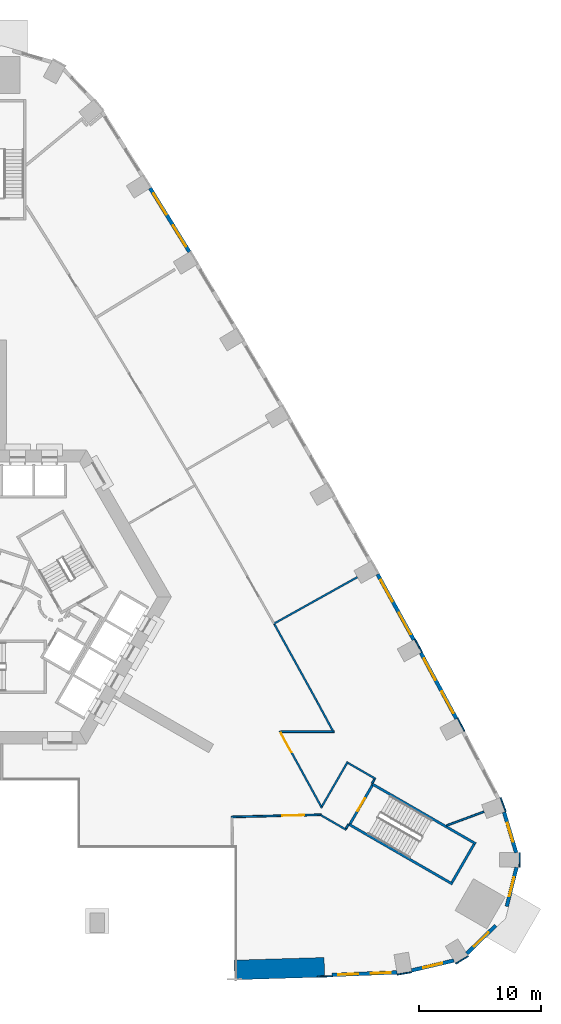
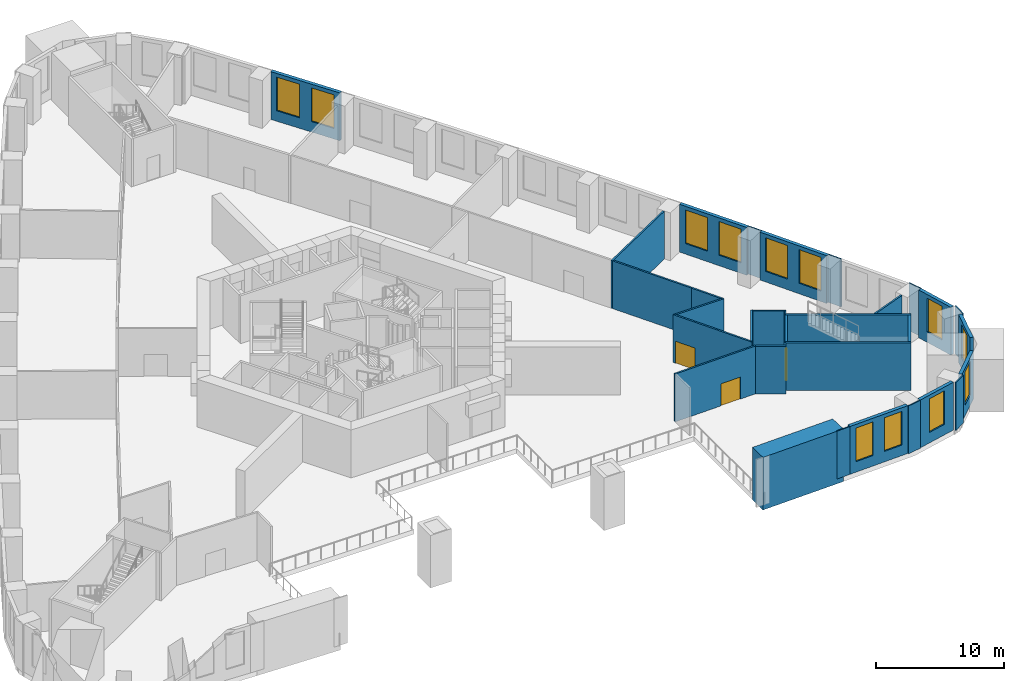
# One storey, part 7 of 16: 32 walls, 12 windows, 3 doors, 15 openings.
"""IFC4 building model written with IfcOpenShell, lengths in metres."""

import ifcopenshell
import ifcopenshell.guid

model = None  # the IFC model being written
_history = None  # IfcOwnerHistory: only IFC2X3 demands one
_inside = {}  # id of a spatial element -> (the spatial element, [elements in it])
_under = {}  # id of a project, library or spatial element -> (it, [spatial elements below it])
_declared = {}  # id of a project -> (the project, [libraries it declares])
_typed = {}  # id of a type object -> (the type object, [elements of that type])
_made_of = {}  # id of a material, layer set ... -> (it, [elements and type objects made of it])


def new_model(schema):
    """Start an empty IFC model of exactly this schema.

    Asked for "IFC4X3", IfcOpenShell would pick the latest addendum, in which some entities
    have other attributes; the version numbers below select the first issue.
    IFC2X3 requires an IfcOwnerHistory on every rooted entity: one is made here for all.
    """
    global model, _history
    if schema == "IFC4X3":
        model = ifcopenshell.file(schema_version=(4, 3, 0, 0))
    else:
        model = ifcopenshell.file(schema=schema)
    _inside.clear()
    _under.clear()
    _declared.clear()
    _typed.clear()
    _made_of.clear()
    _history = None
    if model.schema == "IFC2X3":
        org = make("IfcOrganization", Name="unknown")
        user = make(
            "IfcPersonAndOrganization",
            ThePerson=make("IfcPerson", FamilyName="unknown"),
            TheOrganization=org,
        )
        app = make(
            "IfcApplication",
            ApplicationDeveloper=org,
            Version="unknown",
            ApplicationFullName="unknown",
            ApplicationIdentifier="unknown",
        )
        _history = make(
            "IfcOwnerHistory",
            OwningUser=user,
            OwningApplication=app,
            ChangeAction="ADDED",
            CreationDate=0,
        )
    return model


def make(cls, **values):
    """One entity of the class cls with the attributes given. An attribute that is None is left unset."""
    return model.create_entity(
        cls, **{name: value for name, value in values.items() if value is not None}
    )


def rooted(cls, **values):
    """An entity with a GlobalId (a new one), such as an element, a storey or a relation."""
    return make(cls, GlobalId=ifcopenshell.guid.new(), OwnerHistory=_history, **values)


def si_unit(unit_type, name, prefix=None):
    """IfcSIUnit, for example si_unit("LENGTHUNIT", "METRE", prefix="MILLI")."""
    return make("IfcSIUnit", UnitType=unit_type, Prefix=prefix, Name=name)


def assignment(units):
    """IfcUnitAssignment: the units of a project."""
    return None if units is None else make("IfcUnitAssignment", Units=units)


def point(xyz):
    """IfcCartesianPoint."""
    return None if xyz is None else make("IfcCartesianPoint", Coordinates=xyz)


def direction(xyz):
    """IfcDirection."""
    return None if xyz is None else make("IfcDirection", DirectionRatios=xyz)


def frame(location, z_axis=None, x_axis=None):
    """IfcAxis2Placement3D, a coordinate frame: its origin and axes. An axis left out is left unset."""
    return make(
        "IfcAxis2Placement3D",
        Location=point(location),
        Axis=direction(z_axis),
        RefDirection=direction(x_axis),
    )


def frame_2d(location, x_axis=None):
    """IfcAxis2Placement2D, a coordinate frame in the plane: its origin and x axis."""
    return make(
        "IfcAxis2Placement2D", Location=point(location), RefDirection=direction(x_axis)
    )


def origin():
    """The frame at (0, 0, 0) with its axes left unset."""
    return frame((0.0, 0.0, 0.0))


def place(relative_to, where):
    """IfcLocalPlacement: puts the frame where relative to a parent placement (None: the world)."""
    return make(
        "IfcLocalPlacement", PlacementRelTo=relative_to, RelativePlacement=where
    )


def context(
    kind, dimensions, precision=None, world=None, true_north=None, identifier=None
):
    """IfcGeometricRepresentationContext, for example the 3D "Model" context."""
    return make(
        "IfcGeometricRepresentationContext",
        ContextIdentifier=identifier,
        ContextType=kind,
        CoordinateSpaceDimension=dimensions,
        Precision=precision,
        WorldCoordinateSystem=world,
        TrueNorth=true_north,
    )


def subcontext(parent, identifier, kind, view, scale=None):
    """IfcGeometricRepresentationSubContext, for example "Body" below "Model"."""
    return make(
        "IfcGeometricRepresentationSubContext",
        ContextIdentifier=identifier,
        ContextType=kind,
        ParentContext=parent,
        TargetScale=scale,
        TargetView=view,
    )


def project(units=None, contexts=None):
    """IfcProject with its units and contexts."""
    return rooted(
        "IfcProject",
        Name="project",
        RepresentationContexts=contexts,
        UnitsInContext=assignment(units),
    )


def spatial(cls, under=None, at=None, **own):
    """A site, building, storey or space (cls), placed at a placement, below another one or the project."""
    s = rooted(cls, ObjectPlacement=at, **own)
    if under is not None:
        _under.setdefault(under.id(), (under, []))[1].append(s)
    return s


def polyline(points):
    """IfcPolyline through the points."""
    return make("IfcPolyline", Points=[point(p) for p in points])


def profile(cls, at=None, kind="AREA", **sizes):
    """A parametric profile (cls). Its sizes go by their IFC names, for example OverallWidth=200.0."""
    return make(cls, ProfileType=kind, Position=at, **sizes)


def rectangle(**sizes):
    """IfcRectangleProfileDef."""
    return profile("IfcRectangleProfileDef", **sizes)


def outline(outer, holes=None, kind="AREA"):
    """IfcArbitraryClosedProfileDef: a profile drawn as a closed curve; with holes, ...WithVoids."""
    if holes is None:
        return make("IfcArbitraryClosedProfileDef", ProfileType=kind, OuterCurve=outer)
    return make(
        "IfcArbitraryProfileDefWithVoids",
        ProfileType=kind,
        OuterCurve=outer,
        InnerCurves=holes,
    )


def extrude(swept, where, along, depth):
    """IfcExtrudedAreaSolid: the profile swept, set in the frame where, extruded along a direction by depth."""
    return make(
        "IfcExtrudedAreaSolid",
        SweptArea=swept,
        Position=where,
        ExtrudedDirection=direction(along),
        Depth=depth,
    )


def shape(context_of_items, identifier, shape_type, items):
    """IfcShapeRepresentation: the items that make up one representation, for example the "Body"."""
    return make(
        "IfcShapeRepresentation",
        ContextOfItems=context_of_items,
        RepresentationIdentifier=identifier,
        RepresentationType=shape_type,
        Items=items,
    )


def material(Name=None, Category=None):
    """IfcMaterial."""
    return make("IfcMaterial", Name=Name, Category=Category)


def layer(
    of_material, thickness, ventilated=None, Name=None, Category=None, Priority=None
):
    """IfcMaterialLayer: one layer of a wall or slab, of a material (None: an air gap)."""
    return make(
        "IfcMaterialLayer",
        Material=of_material,
        LayerThickness=thickness,
        IsVentilated=ventilated,
        Name=Name,
        Category=Category,
        Priority=Priority,
    )


def layer_set(layers, Name=None):
    """IfcMaterialLayerSet."""
    return make("IfcMaterialLayerSet", MaterialLayers=layers, LayerSetName=Name)


def made_of(thing, what):
    """Note that an element or type object is made of a material, layer set ...; save() writes the relation."""
    if what is not None:
        _made_of.setdefault(what.id(), (what, []))[1].append(thing)
    return thing


def type_object(cls, material=None, **own):
    """A type object (cls), such as IfcWallType, which elements share."""
    return made_of(rooted(cls, **own), material)


def element(
    cls,
    number,
    at=None,
    inside=None,
    cuts=None,
    type_object=None,
    material=None,
    context=None,
    identifier="Body",
    shape_type=None,
    held_by="IfcProductDefinitionShape",
    body=None,
    shapes=None,
    **own,
):
    """One element of the class cls, such as IfcWall. Its Tag is "e" and its number.

    at: its placement. inside: the storey or other place that contains it. cuts: it is an
    opening in that element (IfcRelVoidsElement). A single representation is given by context,
    identifier, shape_type and body (its items); several are given by shapes. held_by: the class
    of the entity that holds the representations. save() writes the other relations.
    """
    e = rooted(cls, Tag="e%d" % number, ObjectPlacement=at, **own)
    if body is not None:
        shapes = [shape(context, identifier, shape_type, body)]
    if shapes is not None:
        e.Representation = make(held_by, Representations=shapes)
    if inside is not None:
        _inside.setdefault(inside.id(), (inside, []))[1].append(e)
    if cuts is not None:
        rooted(
            "IfcRelVoidsElement", RelatingBuildingElement=cuts, RelatedOpeningElement=e
        )
    if type_object is not None:
        _typed.setdefault(type_object.id(), (type_object, []))[1].append(e)
    return made_of(e, material)


def fill(opening, filler):
    """IfcRelFillsElement: the door or window that sits in an opening."""
    return rooted(
        "IfcRelFillsElement",
        RelatingOpeningElement=opening,
        RelatedBuildingElement=filler,
    )


def aggregate(whole, parts):
    """IfcRelAggregates: a whole, such as a stair, and the parts it consists of."""
    return rooted("IfcRelAggregates", RelatingObject=whole, RelatedObjects=parts)


def save(model, path):
    """Write the relations noted so far, then the file.

    IfcRelAggregates (storeys below a building ...), IfcRelContainedInSpatialStructure (elements
    in a storey), IfcRelDefinesByType, IfcRelAssociatesMaterial and IfcRelDeclares: one each for
    every whole, place, type object, material and project.
    """
    for whole, parts in _under.values():
        aggregate(whole, parts)
    for where, things in _inside.values():
        rooted(
            "IfcRelContainedInSpatialStructure",
            RelatedElements=things,
            RelatingStructure=where,
        )
    for kind, things in _typed.values():
        rooted("IfcRelDefinesByType", RelatedObjects=things, RelatingType=kind)
    for what, things in _made_of.values():
        rooted("IfcRelAssociatesMaterial", RelatedObjects=things, RelatingMaterial=what)
    for by, libraries in _declared.values():
        rooted("IfcRelDeclares", RelatingContext=by, RelatedDefinitions=libraries)
    model.write(path)


model = new_model("IFC4")

# Units and contexts
model_context = context("Model", 3, precision=1e-05, world=origin(), true_north=direction((0.0, 1.0)))
body_context = subcontext(model_context, "Body", "Model", "MODEL_VIEW")
ifc_project = project(units=[si_unit("LENGTHUNIT", "METRE"), si_unit("AREAUNIT", "SQUARE_METRE"), si_unit("VOLUMEUNIT", "CUBIC_METRE"), si_unit("PLANEANGLEUNIT", "RADIAN"), si_unit("MASSUNIT", "GRAM", prefix="KILO")], contexts=[model_context])

# Site, building, storey
site_placement = place(None, origin())
site = spatial("IfcSite", under=ifc_project, at=site_placement, CompositionType="ELEMENT")
building_placement = place(site_placement, origin())
building = spatial("IfcBuilding", under=site, at=building_placement, Name="Entoto Arch Interchange Tower", CompositionType="ELEMENT")
storey_placement = place(building_placement, frame((0.0, 0.0, 15.0)))
storey = spatial("IfcBuildingStorey", under=building, at=storey_placement, Name="L02", CompositionType="ELEMENT", Elevation=15.0)

# Walls
ifc_material_1 = material(Name="Concrete C60/75", Category="concrete")
ifc_layer_1 = layer(ifc_material_1, 1.60009765625)
ifc_layer_set_1 = layer_set([ifc_layer_1], Name="Concrete C60/75")
wall_type_1 = type_object("IfcWallType", Name="Arch leg wall 1600 C60/75", PredefinedType="SHEAR", material=ifc_layer_set_1)
wall_1_placement = place(storey_placement, frame((0.0, 0.0, -0.449951171875)))
element("IfcWall", 1, at=wall_1_placement, inside=storey, type_object=wall_type_1, Name="Arch leg E L02", PredefinedType="SHEAR", context=body_context, shape_type="SweptSolid", body=[
    extrude(outline(polyline([(19.0, -28.761962890625), (26.376953125, -28.5400390625), (26.321044921875, -26.94091796875), (18.97607421875, -27.162109375), (19.0, -28.761962890625)])), origin(), (0.0, 0.0, 1.0), 5.0),
])
ifc_material_2 = material(Name="Gypsum board partition on steel studs", Category="steel")
ifc_layer_2 = layer(ifc_material_2, 0.14990234375)
ifc_layer_set_2 = layer_set([ifc_layer_2], Name="Gypsum board partition on steel studs")
wall_type_2 = type_object("IfcWallType", Name="PARTITION 150", PredefinedType="PARTITIONING", material=ifc_layer_set_2)
wall_2_placement = place(storey_placement, frame((36.333984375, -16.16796875, 0.0), z_axis=(0.0, 0.0, 1.0), x_axis=(0.937400028274, 0.348254485961, 0.0)))
element("IfcWall", 2, at=wall_2_placement, inside=storey, type_object=wall_type_2, Name="wall:L02:p037", PredefinedType="PARTITIONING", context=body_context, shape_type="SweptSolid", body=[
    extrude(rectangle(XDim=3.247314453125, YDim=0.14990234375, at=frame_2d((1.62353515625, 0.0))), origin(), (0.0, 0.0, 1.0), 4.550048828125),
])

# Wall, opening, door
wall_3_placement = place(storey_placement, frame((18.72607421875, -15.465087890625, 0.0), z_axis=(0.0, 0.0, 1.0), x_axis=(0.999696822244, 0.02462242057, 0.0)))
wall_3 = element("IfcWall", 3, at=wall_3_placement, inside=storey, type_object=wall_type_2, Name="wall:L02:p038", PredefinedType="PARTITIONING", context=body_context, shape_type="SweptSolid", body=[
    extrude(rectangle(XDim=7.357177734375, YDim=0.14990234375, at=frame_2d((3.6787109375, 0.0))), origin(), (0.0, 0.0, 1.0), 4.550048828125),
])
opening_1_placement = place(wall_3_placement, frame((4.175048828125, 0.0, 0.0)))
opening_1 = element("IfcOpeningElement", 4, at=opening_1_placement, cuts=wall_3, Name="Opening L02-D04", PredefinedType="OPENING", context=body_context, shape_type="SweptSolid", body=[
    extrude(rectangle(XDim=1.800048828125, YDim=2.10009765625, at=frame_2d((0.89990234375, 1.050048828125))), frame((0.0, 0.0849609375, 0.0), z_axis=(0.0, -1.0, 0.0), x_axis=(1.0, 0.0, 0.0)), (0.0, 0.0, 1.0), 0.169921875),
])
ifc_material_3 = material(Name="Timber door leaf in Steel S235 frame", Category="steel")
door_type_1 = type_object("IfcDoorType", Name="DOOR DD-18 1800x2100", OperationType="DOUBLE_DOOR_SINGLE_SWING", PredefinedType="DOOR", material=ifc_material_3)
door_1_placement = place(opening_1_placement, origin())
door_1 = element("IfcDoor", 5, at=door_1_placement, inside=storey, type_object=door_type_1, Name="door:L02:04", OperationType="DOUBLE_DOOR_SINGLE_SWING", OverallHeight=2.10009765625, OverallWidth=1.800048828125, PredefinedType="DOOR", context=body_context, shape_type="SweptSolid", body=[
    extrude(rectangle(XDim=1.800048828125, YDim=2.10009765625, at=frame_2d((0.89990234375, 1.050048828125))), frame((0.0, 0.02490234375, 0.0), z_axis=(0.0, -1.0, 0.0), x_axis=(1.0, 0.0, 0.0)), (0.0, 0.0, 1.0), 0.050048828125),
])
fill(opening_1, door_1)

# Walls
wall_4_placement = place(storey_placement, frame((26.071044921875, -15.322998046875, 0.0), z_axis=(0.0, 0.0, 1.0), x_axis=(0.866182177769, -0.499728361128, 0.0)))
element("IfcWall", 6, at=wall_4_placement, inside=storey, type_object=wall_type_2, Name="wall:L02:p039", PredefinedType="PARTITIONING", context=body_context, shape_type="SweptSolid", body=[
    extrude(rectangle(XDim=2.385009765625, YDim=0.14990234375, at=frame_2d((1.1923828125, 0.0))), origin(), (0.0, 0.0, 1.0), 4.550048828125),
])
wall_5_placement = place(storey_placement, frame((28.110107421875, -16.4130859375, 0.0), z_axis=(0.0, 0.0, 1.0), x_axis=(0.498310290291, 0.866998762739, 0.0)))
element("IfcWall", 7, at=wall_5_placement, inside=storey, type_object=wall_type_2, Name="wall:L02:p040", PredefinedType="PARTITIONING", context=body_context, shape_type="SweptSolid", body=[
    extrude(rectangle(XDim=0.3994140625, YDim=0.14990234375, at=frame_2d((0.19970703125, 0.0))), origin(), (0.0, 0.0, 1.0), 4.550048828125),
])
wall_6_placement = place(storey_placement, frame((22.173095703125, 0.287109375, 0.0), z_axis=(0.0, 0.0, 1.0), x_axis=(0.873380653813, 0.487038225959, 0.0)))
element("IfcWall", 8, at=wall_6_placement, inside=storey, type_object=wall_type_2, Name="wall:L02:p042", PredefinedType="PARTITIONING", context=body_context, shape_type="SweptSolid", body=[
    extrude(rectangle(XDim=7.85546875, YDim=0.14990234375, at=frame_2d((3.927734375, 0.0))), origin(), (0.0, 0.0, 1.0), 4.550048828125),
])
wall_7_placement = place(storey_placement, frame((30.235107421875, -12.73291015625, 0.0), z_axis=(0.0, 0.0, 1.0), x_axis=(0.499352927503, 0.866398669086, 0.0)))
element("IfcWall", 9, at=wall_7_placement, inside=storey, type_object=wall_type_2, Name="wall:L02:p043", PredefinedType="PARTITIONING", context=body_context, shape_type="SweptSolid", body=[
    extrude(rectangle(XDim=0.400390625, YDim=0.14990234375, at=frame_2d((0.2001953125, 0.0))), origin(), (0.0, 0.0, 1.0), 4.550048828125),
])
wall_8_placement = place(storey_placement, frame((30.537109375, -12.35791015625, 0.0), z_axis=(0.0, 0.0, 1.0), x_axis=(-0.866108986466, 0.499855202596, 0.0)))
element("IfcWall", 10, at=wall_8_placement, inside=storey, type_object=wall_type_2, Name="wall:L02:p044", PredefinedType="PARTITIONING", context=body_context, shape_type="SweptSolid", body=[
    extrude(rectangle(XDim=2.600341796875, YDim=0.14990234375, at=frame_2d((1.30029296875, 0.0))), origin(), (0.0, 0.0, 1.0), 4.550048828125),
])
wall_9_placement = place(storey_placement, frame((28.257080078125, -10.9560546875, 0.0), z_axis=(0.0, 0.0, 1.0), x_axis=(-0.500010096862, -0.86601957428, 0.0)))
element("IfcWall", 11, at=wall_9_placement, inside=storey, type_object=wall_type_2, Name="wall:L02:p045", PredefinedType="PARTITIONING", context=body_context, shape_type="SweptSolid", body=[
    extrude(rectangle(XDim=4.21240234375, YDim=0.14990234375, at=frame_2d((2.106201171875, 0.0))), origin(), (0.0, 0.0, 1.0), 4.550048828125),
])

# Wall, opening, door
wall_10_placement = place(storey_placement, frame((26.14990234375, -14.735107421875, 0.0), z_axis=(0.0, 0.0, 1.0), x_axis=(-0.480144660377, 0.877189321134, 0.0)))
wall_10 = element("IfcWall", 12, at=wall_10_placement, inside=storey, type_object=wall_type_2, Name="wall:L02:p046", PredefinedType="PARTITIONING", context=body_context, shape_type="SweptSolid", body=[
    extrude(rectangle(XDim=7.18310546875, YDim=0.14990234375, at=frame_2d((3.591552734375, 0.0))), origin(), (0.0, 0.0, 1.0), 4.550048828125),
])
opening_2_placement = place(wall_10_placement, frame((5.18310546875, 0.0, 0.0)))
opening_2 = element("IfcOpeningElement", 13, at=opening_2_placement, cuts=wall_10, Name="Opening L02-D05", PredefinedType="OPENING", context=body_context, shape_type="SweptSolid", body=[
    extrude(rectangle(XDim=1.800048828125, YDim=2.10009765625, at=frame_2d((0.89990234375, 1.050048828125))), frame((0.0, 0.0849609375, 0.0), z_axis=(0.0, -1.0, 0.0), x_axis=(1.0, 0.0, 0.0)), (0.0, 0.0, 1.0), 0.169921875),
])
door_2_placement = place(opening_2_placement, origin())
door_2 = element("IfcDoor", 14, at=door_2_placement, inside=storey, type_object=door_type_1, Name="door:L02:05", OperationType="DOUBLE_DOOR_SINGLE_SWING", OverallHeight=2.10009765625, OverallWidth=1.800048828125, PredefinedType="DOOR", context=body_context, shape_type="SweptSolid", body=[
    extrude(rectangle(XDim=1.800048828125, YDim=2.10009765625, at=frame_2d((0.89990234375, 1.050048828125))), frame((0.0, 0.02490234375, 0.0), z_axis=(0.0, -1.0, 0.0), x_axis=(1.0, 0.0, 0.0)), (0.0, 0.0, 1.0), 0.050048828125),
])
fill(opening_2, door_2)

# Walls
wall_11_placement = place(storey_placement, frame((22.81201171875, -8.5, 0.0), z_axis=(0.0, 0.0, 1.0), x_axis=(1.0, 0.0, 0.0)))
element("IfcWall", 15, at=wall_11_placement, inside=storey, type_object=wall_type_2, Name="wall:L02:p047", PredefinedType="PARTITIONING", context=body_context, shape_type="SweptSolid", body=[
    extrude(rectangle(XDim=4.340087890625, YDim=0.14990234375, at=frame_2d((2.169921875, 0.0))), origin(), (0.0, 0.0, 1.0), 4.550048828125),
])
wall_12_placement = place(storey_placement, frame((27.041015625, -8.43408203125, 0.0), z_axis=(0.0, 0.0, 1.0), x_axis=(-0.474749604856, 0.880120907995, 0.0)))
element("IfcWall", 16, at=wall_12_placement, inside=storey, type_object=wall_type_2, Name="wall:L02:p048", PredefinedType="PARTITIONING", context=body_context, shape_type="SweptSolid", body=[
    extrude(rectangle(XDim=2.75537109375, YDim=0.14990234375, at=frame_2d((1.377685546875, 0.0))), origin(), (0.0, 0.0, 1.0), 4.550048828125),
])
wall_13_placement = place(storey_placement, frame((25.73291015625, -6.009033203125, 0.0), z_axis=(0.0, 0.0, 1.0), x_axis=(-0.483119749012, 0.875554286218, 0.0)))
element("IfcWall", 17, at=wall_13_placement, inside=storey, type_object=wall_type_2, Name="wall:L02:p049", PredefinedType="PARTITIONING", context=body_context, shape_type="SweptSolid", body=[
    extrude(rectangle(XDim=7.153076171875, YDim=0.14990234375, at=frame_2d((3.57666015625, 0.0))), origin(), (0.0, 0.0, 1.0), 4.550048828125),
])
ifc_material_4 = material(Name="Concrete C40/50", Category="concrete")
ifc_layer_3 = layer(ifc_material_4, 0.199951171875)
ifc_layer_set_3 = layer_set([ifc_layer_3], Name="Concrete C40/50")
wall_type_3 = type_object("IfcWallType", Name="STAIR ENCLOSURE WALL 200", PredefinedType="STANDARD", material=ifc_layer_set_3)
for number, where, z_axis, x_axis, name in (
    (18, (28.322021484375, -16.044921875, 0.0), (0.0, 0.0, 1.0), (0.866019227021, -0.500010698315, 0.0), "Stair wall PST-SE left"),
    (19, (30.221923828125, -12.7548828125, 0.0), (0.0, 0.0, 1.0), (0.866019227021, -0.500010698315, 0.0), "Stair wall PST-SE right"),
):
    element("IfcWall", number, at=place(storey_placement, frame(where, z_axis=z_axis, x_axis=x_axis)), inside=storey, type_object=wall_type_3, Name=name, PredefinedType="STANDARD", context=body_context, shape_type="SweptSolid", body=[
        extrude(rectangle(XDim=9.800048828125, YDim=0.199951171875, at=frame_2d((4.89990234375, 0.0))), origin(), (0.0, 0.0, 1.0), 4.550048828125),
    ])

# Wall, opening, door
wall_14_placement = place(storey_placement, frame((28.4580078125, -16.009033203125, 0.0), z_axis=(0.0, 0.0, 1.0), x_axis=(0.499982693035, 0.866035395735, 0.0)))
wall_14 = element("IfcWall", 20, at=wall_14_placement, inside=storey, type_object=wall_type_3, Name="Stair wall PST-SE near", PredefinedType="STANDARD", context=body_context, shape_type="SweptSolid", body=[
    extrude(rectangle(XDim=3.600341796875, YDim=0.199951171875, at=frame_2d((1.80029296875, 0.0))), origin(), (0.0, 0.0, 1.0), 4.550048828125),
])
opening_3_placement = place(wall_14_placement, frame((1.199951171875, 0.0, 0.0)))
opening_3 = element("IfcOpeningElement", 21, at=opening_3_placement, cuts=wall_14, Name="Opening SD-PST-SE-L02", PredefinedType="OPENING", context=body_context, shape_type="SweptSolid", body=[
    extrude(rectangle(XDim=1.199951171875, YDim=2.199951171875, at=frame_2d((0.60009765625, 1.10009765625))), frame((0.0, 0.10986328125, 0.0), z_axis=(0.0, -1.0, 0.0), x_axis=(1.0, 0.0, 0.0)), (0.0, 0.0, 1.0), 0.219970703125),
])
ifc_material_5 = material(Name="Steel S235", Category="steel")
door_type_2 = type_object("IfcDoorType", Name="STAIR DOOR SD2 1200x2200", OperationType="SINGLE_SWING_LEFT", PredefinedType="DOOR", material=ifc_material_5)
door_3_placement = place(opening_3_placement, origin())
door_3 = element("IfcDoor", 22, at=door_3_placement, inside=storey, type_object=door_type_2, Name="Stair door PST-SE L02", OperationType="SINGLE_SWING_LEFT", OverallHeight=2.199951171875, OverallWidth=1.199951171875, PredefinedType="DOOR", context=body_context, shape_type="SweptSolid", body=[
    extrude(rectangle(XDim=1.199951171875, YDim=2.199951171875, at=frame_2d((0.60009765625, 1.10009765625))), frame((0.0, 0.02490234375, 0.0), z_axis=(0.0, -1.0, 0.0), x_axis=(1.0, 0.0, 0.0)), (0.0, 0.0, 1.0), 0.050048828125),
])
fill(opening_3, door_3)

# Wall
wall_15_placement = place(storey_placement, frame((36.77197265625, -20.80908203125, 0.0), z_axis=(0.0, 0.0, 1.0), x_axis=(0.49995333141, 0.866052346231, 0.0)))
element("IfcWall", 23, at=wall_15_placement, inside=storey, type_object=wall_type_3, Name="Stair wall PST-SE far", PredefinedType="STANDARD", context=body_context, shape_type="SweptSolid", body=[
    extrude(rectangle(XDim=3.600341796875, YDim=0.199951171875, at=frame_2d((1.80029296875, 0.0))), origin(), (0.0, 0.0, 1.0), 4.550048828125),
])

# Wall, openings, windows
ifc_material_6 = material(Name="Welded tuff (ignimbrite) cladding, warm buff", Category="masonry")
ifc_layer_4 = layer(ifc_material_6, 0.300048828125)
ifc_layer_set_4 = layer_set([ifc_layer_4], Name="Welded tuff (ignimbrite) cladding, warm buff")
wall_type_4 = type_object("IfcWallType", Name="STONE INFILL WALL 300", PredefinedType="STANDARD", material=ifc_layer_set_4)
wall_16_placement = place(storey_placement, frame((26.969970703125, -28.366943359375, 0.0), z_axis=(0.0, 0.0, 1.0), x_axis=(0.999234205654, 0.039128023863, 0.0)))
wall_16 = element("IfcWall", 24, at=wall_16_placement, inside=storey, type_object=wall_type_4, Name="Facade wall S-05 L02", PredefinedType="STANDARD", context=body_context, shape_type="SweptSolid", body=[
    extrude(rectangle(XDim=5.316162109375, YDim=0.300048828125, at=frame_2d((2.658203125, 0.0))), origin(), (0.0, 0.0, 1.0), 4.550048828125),
])
opening_4_placement = place(wall_16_placement, frame((0.529052734375, 0.0, 1.0)))
opening_4 = element("IfcOpeningElement", 25, at=opening_4_placement, cuts=wall_16, Name="Opening WP-C", PredefinedType="OPENING", context=body_context, shape_type="SweptSolid", body=[
    extrude(rectangle(XDim=1.60009765625, YDim=3.199951171875, at=frame_2d((0.800048828125, 1.60009765625))), frame((0.0, 0.16015625, 0.0), z_axis=(0.0, -1.0, 0.0), x_axis=(1.0, 0.0, 0.0)), (0.0, 0.0, 1.0), 0.320068359375),
])
opening_5_placement = place(wall_16_placement, frame((3.18701171875, 0.0, 1.0)))
opening_5 = element("IfcOpeningElement", 26, at=opening_5_placement, cuts=wall_16, Name="Opening WP-C", PredefinedType="OPENING", context=body_context, shape_type="SweptSolid", body=[
    extrude(rectangle(XDim=1.60009765625, YDim=3.199951171875, at=frame_2d((0.800048828125, 1.60009765625))), frame((0.0, 0.16015625, 0.0), z_axis=(0.0, -1.0, 0.0), x_axis=(1.0, 0.0, 0.0)), (0.0, 0.0, 1.0), 0.320068359375),
])
ifc_material_7 = material(Name="Clear glass, low-e double glazed", Category="glass")
window_type_1 = type_object("IfcWindowType", Name="WINDOW WP-C 1600x3200", PartitioningType="DOUBLE_PANEL_VERTICAL", PredefinedType="WINDOW", material=ifc_material_7)
window_1_placement = place(opening_4_placement, origin())
window_1 = element("IfcWindow", 27, at=window_1_placement, inside=storey, type_object=window_type_1, Name="Window WP-C S-05 L02", OverallHeight=3.199951171875, OverallWidth=1.60009765625, PartitioningType="SINGLE_PANEL", PredefinedType="WINDOW", context=body_context, shape_type="SweptSolid", body=[
    extrude(rectangle(XDim=1.60009765625, YDim=3.199951171875, at=frame_2d((0.800048828125, 1.60009765625))), frame((0.0, 0.030029296875, 0.0), z_axis=(0.0, -1.0, 0.0), x_axis=(1.0, 0.0, 0.0)), (0.0, 0.0, 1.0), 0.06005859375),
])
fill(opening_4, window_1)
window_2_placement = place(opening_5_placement, origin())
window_2 = element("IfcWindow", 28, at=window_2_placement, inside=storey, type_object=window_type_1, Name="Window WP-C S-05 L02", OverallHeight=3.199951171875, OverallWidth=1.60009765625, PartitioningType="SINGLE_PANEL", PredefinedType="WINDOW", context=body_context, shape_type="SweptSolid", body=[
    extrude(rectangle(XDim=1.60009765625, YDim=3.199951171875, at=frame_2d((0.800048828125, 1.60009765625))), frame((0.0, 0.030029296875, 0.0), z_axis=(0.0, -1.0, 0.0), x_axis=(1.0, 0.0, 0.0)), (0.0, 0.0, 1.0), 0.06005859375),
])
fill(opening_5, window_2)

# Wall, opening, window
wall_17_placement = place(storey_placement, frame((33.469970703125, -27.9990234375, 0.0), z_axis=(0.0, 0.0, 1.0), x_axis=(0.97357041301, 0.228387063799, 0.0)))
wall_17 = element("IfcWall", 29, at=wall_17_placement, inside=storey, type_object=wall_type_4, Name="Facade wall SE-01 L02", PredefinedType="STANDARD", context=body_context, shape_type="SweptSolid", body=[
    extrude(rectangle(XDim=3.546875, YDim=0.300048828125, at=frame_2d((1.7734375, 0.0))), origin(), (0.0, 0.0, 1.0), 4.550048828125),
])
opening_6_placement = place(wall_17_placement, frame((0.972900390625, 0.0, 1.0)))
opening_6 = element("IfcOpeningElement", 30, at=opening_6_placement, cuts=wall_17, Name="Opening WP-C", PredefinedType="OPENING", context=body_context, shape_type="SweptSolid", body=[
    extrude(rectangle(XDim=1.60009765625, YDim=3.199951171875, at=frame_2d((0.800048828125, 1.60009765625))), frame((0.0, 0.16015625, 0.0), z_axis=(0.0, -1.0, 0.0), x_axis=(1.0, 0.0, 0.0)), (0.0, 0.0, 1.0), 0.320068359375),
])
window_3_placement = place(opening_6_placement, origin())
window_3 = element("IfcWindow", 31, at=window_3_placement, inside=storey, type_object=window_type_1, Name="Window WP-C SE-01 L02", OverallHeight=3.199951171875, OverallWidth=1.60009765625, PartitioningType="SINGLE_PANEL", PredefinedType="WINDOW", context=body_context, shape_type="SweptSolid", body=[
    extrude(rectangle(XDim=1.60009765625, YDim=3.199951171875, at=frame_2d((0.800048828125, 1.60009765625))), frame((0.0, 0.030029296875, 0.0), z_axis=(0.0, -1.0, 0.0), x_axis=(1.0, 0.0, 0.0)), (0.0, 0.0, 1.0), 0.06005859375),
])
fill(opening_6, window_3)

wall_18_placement = place(storey_placement, frame((37.97998046875, -26.62109375, 0.0), z_axis=(0.0, 0.0, 1.0), x_axis=(0.717527250225, 0.696530433782, 0.0)))
wall_18 = element("IfcWall", 32, at=wall_18_placement, inside=storey, type_object=wall_type_4, Name="Facade wall SE-02 L02", PredefinedType="STANDARD", context=body_context, shape_type="SweptSolid", body=[
    extrude(rectangle(XDim=3.29052734375, YDim=0.300048828125, at=frame_2d((1.645263671875, 0.0))), origin(), (0.0, 0.0, 1.0), 4.550048828125),
])
opening_7_placement = place(wall_18_placement, frame((0.844970703125, 0.0, 1.0)))
opening_7 = element("IfcOpeningElement", 33, at=opening_7_placement, cuts=wall_18, Name="Opening WP-C", PredefinedType="OPENING", context=body_context, shape_type="SweptSolid", body=[
    extrude(rectangle(XDim=1.60009765625, YDim=3.199951171875, at=frame_2d((0.800048828125, 1.60009765625))), frame((0.0, 0.16015625, 0.0), z_axis=(0.0, -1.0, 0.0), x_axis=(1.0, 0.0, 0.0)), (0.0, 0.0, 1.0), 0.320068359375),
])
window_4_placement = place(opening_7_placement, origin())
window_4 = element("IfcWindow", 34, at=window_4_placement, inside=storey, type_object=window_type_1, Name="Window WP-C SE-02 L02", OverallHeight=3.199951171875, OverallWidth=1.60009765625, PartitioningType="SINGLE_PANEL", PredefinedType="WINDOW", context=body_context, shape_type="SweptSolid", body=[
    extrude(rectangle(XDim=1.60009765625, YDim=3.199951171875, at=frame_2d((0.800048828125, 1.60009765625))), frame((0.0, 0.030029296875, 0.0), z_axis=(0.0, -1.0, 0.0), x_axis=(1.0, 0.0, 0.0)), (0.0, 0.0, 1.0), 0.06005859375),
])
fill(opening_7, window_4)

wall_19_placement = place(storey_placement, frame((41.239990234375, -22.77197265625, 0.0), z_axis=(0.0, 0.0, 1.0), x_axis=(0.244315836028, 0.969695711172, 0.0)))
wall_19 = element("IfcWall", 35, at=wall_19_placement, inside=storey, type_object=wall_type_4, Name="Facade wall SE-03 L02", PredefinedType="STANDARD", context=body_context, shape_type="SweptSolid", body=[
    extrude(rectangle(XDim=3.29052734375, YDim=0.300048828125, at=frame_2d((1.645263671875, 0.0))), origin(), (0.0, 0.0, 1.0), 4.550048828125),
])
opening_8_placement = place(wall_19_placement, frame((0.844970703125, 0.0, 1.0)))
opening_8 = element("IfcOpeningElement", 36, at=opening_8_placement, cuts=wall_19, Name="Opening WP-C", PredefinedType="OPENING", context=body_context, shape_type="SweptSolid", body=[
    extrude(rectangle(XDim=1.60009765625, YDim=3.199951171875, at=frame_2d((0.800048828125, 1.60009765625))), frame((0.0, 0.16015625, 0.0), z_axis=(0.0, -1.0, 0.0), x_axis=(1.0, 0.0, 0.0)), (0.0, 0.0, 1.0), 0.320068359375),
])
window_5_placement = place(opening_8_placement, origin())
window_5 = element("IfcWindow", 37, at=window_5_placement, inside=storey, type_object=window_type_1, Name="Window WP-C SE-03 L02", OverallHeight=3.199951171875, OverallWidth=1.60009765625, PartitioningType="SINGLE_PANEL", PredefinedType="WINDOW", context=body_context, shape_type="SweptSolid", body=[
    extrude(rectangle(XDim=1.60009765625, YDim=3.199951171875, at=frame_2d((0.800048828125, 1.60009765625))), frame((0.0, 0.030029296875, 0.0), z_axis=(0.0, -1.0, 0.0), x_axis=(1.0, 0.0, 0.0)), (0.0, 0.0, 1.0), 0.06005859375),
])
fill(opening_8, window_5)

wall_20_placement = place(storey_placement, frame((42.010986328125, -18.382080078125, 0.0), z_axis=(0.0, 0.0, 1.0), x_axis=(-0.285800575124, 0.958289116738, 0.0)))
wall_20 = element("IfcWall", 38, at=wall_20_placement, inside=storey, type_object=wall_type_4, Name="Facade wall SE-04 L02", PredefinedType="STANDARD", context=body_context, shape_type="SweptSolid", body=[
    extrude(rectangle(XDim=3.46044921875, YDim=0.300048828125, at=frame_2d((1.730224609375, 0.0))), origin(), (0.0, 0.0, 1.0), 4.550048828125),
])
opening_9_placement = place(wall_20_placement, frame((0.929931640625, 0.0, 1.0)))
opening_9 = element("IfcOpeningElement", 39, at=opening_9_placement, cuts=wall_20, Name="Opening WP-C", PredefinedType="OPENING", context=body_context, shape_type="SweptSolid", body=[
    extrude(rectangle(XDim=1.60009765625, YDim=3.199951171875, at=frame_2d((0.800048828125, 1.60009765625))), frame((0.0, 0.16015625, 0.0), z_axis=(0.0, -1.0, 0.0), x_axis=(1.0, 0.0, 0.0)), (0.0, 0.0, 1.0), 0.320068359375),
])
window_6_placement = place(opening_9_placement, origin())
window_6 = element("IfcWindow", 40, at=window_6_placement, inside=storey, type_object=window_type_1, Name="Window WP-C SE-04 L02", OverallHeight=3.199951171875, OverallWidth=1.60009765625, PartitioningType="SINGLE_PANEL", PredefinedType="WINDOW", context=body_context, shape_type="SweptSolid", body=[
    extrude(rectangle(XDim=1.60009765625, YDim=3.199951171875, at=frame_2d((0.800048828125, 1.60009765625))), frame((0.0, 0.030029296875, 0.0), z_axis=(0.0, -1.0, 0.0), x_axis=(1.0, 0.0, 0.0)), (0.0, 0.0, 1.0), 0.06005859375),
])
fill(opening_9, window_6)

# Wall, openings, windows
wall_21_placement = place(storey_placement, frame((37.131103515625, -7.446044921875, 0.0), z_axis=(0.0, 0.0, 1.0), x_axis=(-0.474584950749, 0.880209704856, 0.0)))
wall_21 = element("IfcWall", 41, at=wall_21_placement, inside=storey, type_object=wall_type_4, Name="Facade wall NE-02 L02", PredefinedType="STANDARD", context=body_context, shape_type="SweptSolid", body=[
    extrude(rectangle(XDim=6.12109375, YDim=0.300048828125, at=frame_2d((3.060546875, 0.0))), origin(), (0.0, 0.0, 1.0), 4.550048828125),
])
opening_10_placement = place(wall_21_placement, frame((0.530029296875, 0.0, 1.0)))
opening_10 = element("IfcOpeningElement", 42, at=opening_10_placement, cuts=wall_21, Name="Opening WP-E", PredefinedType="OPENING", context=body_context, shape_type="SweptSolid", body=[
    extrude(rectangle(XDim=2.0, YDim=3.199951171875, at=frame_2d((1.0, 1.60009765625))), frame((0.0, 0.16015625, 0.0), z_axis=(0.0, -1.0, 0.0), x_axis=(1.0, 0.0, 0.0)), (0.0, 0.0, 1.0), 0.320068359375),
])
opening_11_placement = place(wall_21_placement, frame((3.591064453125, 0.0, 1.0)))
opening_11 = element("IfcOpeningElement", 43, at=opening_11_placement, cuts=wall_21, Name="Opening WP-E", PredefinedType="OPENING", context=body_context, shape_type="SweptSolid", body=[
    extrude(rectangle(XDim=2.0, YDim=3.199951171875, at=frame_2d((1.0, 1.60009765625))), frame((0.0, 0.16015625, 0.0), z_axis=(0.0, -1.0, 0.0), x_axis=(1.0, 0.0, 0.0)), (0.0, 0.0, 1.0), 0.320068359375),
])
window_type_2 = type_object("IfcWindowType", Name="WINDOW WP-E 2000x3200", PartitioningType="DOUBLE_PANEL_VERTICAL", PredefinedType="WINDOW", material=ifc_material_7)
window_7_placement = place(opening_10_placement, origin())
window_7 = element("IfcWindow", 44, at=window_7_placement, inside=storey, type_object=window_type_2, Name="Window WP-E NE-02 L02", OverallHeight=3.199951171875, OverallWidth=2.0, PartitioningType="SINGLE_PANEL", PredefinedType="WINDOW", context=body_context, shape_type="SweptSolid", body=[
    extrude(rectangle(XDim=2.0, YDim=3.199951171875, at=frame_2d((1.0, 1.60009765625))), frame((0.0, 0.030029296875, 0.0), z_axis=(0.0, -1.0, 0.0), x_axis=(1.0, 0.0, 0.0)), (0.0, 0.0, 1.0), 0.06005859375),
])
fill(opening_10, window_7)
window_8_placement = place(opening_11_placement, origin())
window_8 = element("IfcWindow", 45, at=window_8_placement, inside=storey, type_object=window_type_2, Name="Window WP-E NE-02 L02", OverallHeight=3.199951171875, OverallWidth=2.0, PartitioningType="SINGLE_PANEL", PredefinedType="WINDOW", context=body_context, shape_type="SweptSolid", body=[
    extrude(rectangle(XDim=2.0, YDim=3.199951171875, at=frame_2d((1.0, 1.60009765625))), frame((0.0, 0.030029296875, 0.0), z_axis=(0.0, -1.0, 0.0), x_axis=(1.0, 0.0, 0.0)), (0.0, 0.0, 1.0), 0.06005859375),
])
fill(opening_11, window_8)

wall_22_placement = place(storey_placement, frame((33.652099609375, -1.006103515625, 0.0), z_axis=(0.0, 0.0, 1.0), x_axis=(-0.483233380559, 0.875491576152, 0.0)))
wall_22 = element("IfcWall", 46, at=wall_22_placement, inside=storey, type_object=wall_type_4, Name="Facade wall NE-03 L02", PredefinedType="STANDARD", context=body_context, shape_type="SweptSolid", body=[
    extrude(rectangle(XDim=6.121337890625, YDim=0.300048828125, at=frame_2d((3.060546875, 0.0))), origin(), (0.0, 0.0, 1.0), 4.550048828125),
])
opening_12_placement = place(wall_22_placement, frame((0.530029296875, 0.0, 1.0)))
opening_12 = element("IfcOpeningElement", 47, at=opening_12_placement, cuts=wall_22, Name="Opening WP-E", PredefinedType="OPENING", context=body_context, shape_type="SweptSolid", body=[
    extrude(rectangle(XDim=2.0, YDim=3.199951171875, at=frame_2d((1.0, 1.60009765625))), frame((0.0, 0.16015625, 0.0), z_axis=(0.0, -1.0, 0.0), x_axis=(1.0, 0.0, 0.0)), (0.0, 0.0, 1.0), 0.320068359375),
])
opening_13_placement = place(wall_22_placement, frame((3.591064453125, 0.0, 1.0)))
opening_13 = element("IfcOpeningElement", 48, at=opening_13_placement, cuts=wall_22, Name="Opening WP-E", PredefinedType="OPENING", context=body_context, shape_type="SweptSolid", body=[
    extrude(rectangle(XDim=2.0, YDim=3.199951171875, at=frame_2d((1.0, 1.60009765625))), frame((0.0, 0.16015625, 0.0), z_axis=(0.0, -1.0, 0.0), x_axis=(1.0, 0.0, 0.0)), (0.0, 0.0, 1.0), 0.320068359375),
])
window_9_placement = place(opening_12_placement, origin())
window_9 = element("IfcWindow", 49, at=window_9_placement, inside=storey, type_object=window_type_2, Name="Window WP-E NE-03 L02", OverallHeight=3.199951171875, OverallWidth=2.0, PartitioningType="SINGLE_PANEL", PredefinedType="WINDOW", context=body_context, shape_type="SweptSolid", body=[
    extrude(rectangle(XDim=2.0, YDim=3.199951171875, at=frame_2d((1.0, 1.60009765625))), frame((0.0, 0.030029296875, 0.0), z_axis=(0.0, -1.0, 0.0), x_axis=(1.0, 0.0, 0.0)), (0.0, 0.0, 1.0), 0.06005859375),
])
fill(opening_12, window_9)
window_10_placement = place(opening_13_placement, origin())
window_10 = element("IfcWindow", 50, at=window_10_placement, inside=storey, type_object=window_type_2, Name="Window WP-E NE-03 L02", OverallHeight=3.199951171875, OverallWidth=2.0, PartitioningType="SINGLE_PANEL", PredefinedType="WINDOW", context=body_context, shape_type="SweptSolid", body=[
    extrude(rectangle(XDim=2.0, YDim=3.199951171875, at=frame_2d((1.0, 1.60009765625))), frame((0.0, 0.030029296875, 0.0), z_axis=(0.0, -1.0, 0.0), x_axis=(1.0, 0.0, 0.0)), (0.0, 0.0, 1.0), 0.06005859375),
])
fill(opening_13, window_10)

wall_23_placement = place(storey_placement, frame((15.3310546875, 30.669921875, 0.0), z_axis=(0.0, 0.0, 1.0), x_axis=(-0.524953701886, 0.85113078365, 0.0)))
wall_23 = element("IfcWall", 51, at=wall_23_placement, inside=storey, type_object=wall_type_4, Name="Facade wall NE-08 L02", PredefinedType="STANDARD", context=body_context, shape_type="SweptSolid", body=[
    extrude(rectangle(XDim=6.12255859375, YDim=0.300048828125, at=frame_2d((3.061279296875, 0.0))), origin(), (0.0, 0.0, 1.0), 4.550048828125),
])
opening_14_placement = place(wall_23_placement, frame((0.531005859375, 0.0, 1.0)))
opening_14 = element("IfcOpeningElement", 52, at=opening_14_placement, cuts=wall_23, Name="Opening WP-E", PredefinedType="OPENING", context=body_context, shape_type="SweptSolid", body=[
    extrude(rectangle(XDim=2.0, YDim=3.199951171875, at=frame_2d((1.0, 1.60009765625))), frame((0.0, 0.16015625, 0.0), z_axis=(0.0, -1.0, 0.0), x_axis=(1.0, 0.0, 0.0)), (0.0, 0.0, 1.0), 0.320068359375),
])
opening_15_placement = place(wall_23_placement, frame((3.592041015625, 0.0, 1.0)))
opening_15 = element("IfcOpeningElement", 53, at=opening_15_placement, cuts=wall_23, Name="Opening WP-E", PredefinedType="OPENING", context=body_context, shape_type="SweptSolid", body=[
    extrude(rectangle(XDim=2.0, YDim=3.199951171875, at=frame_2d((1.0, 1.60009765625))), frame((0.0, 0.16015625, 0.0), z_axis=(0.0, -1.0, 0.0), x_axis=(1.0, 0.0, 0.0)), (0.0, 0.0, 1.0), 0.320068359375),
])
window_11_placement = place(opening_14_placement, origin())
window_11 = element("IfcWindow", 54, at=window_11_placement, inside=storey, type_object=window_type_2, Name="Window WP-E NE-08 L02", OverallHeight=3.199951171875, OverallWidth=2.0, PartitioningType="SINGLE_PANEL", PredefinedType="WINDOW", context=body_context, shape_type="SweptSolid", body=[
    extrude(rectangle(XDim=2.0, YDim=3.199951171875, at=frame_2d((1.0, 1.60009765625))), frame((0.0, 0.030029296875, 0.0), z_axis=(0.0, -1.0, 0.0), x_axis=(1.0, 0.0, 0.0)), (0.0, 0.0, 1.0), 0.06005859375),
])
fill(opening_14, window_11)
window_12_placement = place(opening_15_placement, origin())
window_12 = element("IfcWindow", 55, at=window_12_placement, inside=storey, type_object=window_type_2, Name="Window WP-E NE-08 L02", OverallHeight=3.199951171875, OverallWidth=2.0, PartitioningType="SINGLE_PANEL", PredefinedType="WINDOW", context=body_context, shape_type="SweptSolid", body=[
    extrude(rectangle(XDim=2.0, YDim=3.199951171875, at=frame_2d((1.0, 1.60009765625))), frame((0.0, 0.030029296875, 0.0), z_axis=(0.0, -1.0, 0.0), x_axis=(1.0, 0.0, 0.0)), (0.0, 0.0, 1.0), 0.06005859375),
])
fill(opening_15, window_12)

# Walls
ifc_layer_5 = layer(ifc_material_6, 0.10009765625)
ifc_layer_set_5 = layer_set([ifc_layer_5], Name="Welded tuff (ignimbrite) cladding, warm buff")
wall_type_5 = type_object("IfcWallType", Name="STONE PIER CLADDING 100", PredefinedType="STANDARD", material=ifc_layer_set_5)
wall_24_placement = place(storey_placement, frame((41.153076171875, -15.01806640625, 0.0), z_axis=(0.0, 0.0, 1.0), x_axis=(-0.348268249601, 0.937394914814, 0.0)))
element("IfcWall", 56, at=wall_24_placement, inside=storey, type_object=wall_type_5, Name="Stone pier NE01 L02", PredefinedType="STANDARD", context=body_context, shape_type="SweptSolid", body=[
    extrude(rectangle(XDim=1.2001953125, YDim=0.10009765625, at=frame_2d((0.60009765625, 0.0))), origin(), (0.0, 0.0, 1.0), 4.550048828125),
])
wall_25_placement = place(storey_placement, frame((37.784912109375, -8.4560546875, 0.0), z_axis=(0.0, 0.0, 1.0), x_axis=(-0.469383408131, 0.882994459876, 0.0)))
element("IfcWall", 57, at=wall_25_placement, inside=storey, type_object=wall_type_5, Name="Stone pier NE02 L02", PredefinedType="STANDARD", context=body_context, shape_type="SweptSolid", body=[
    extrude(rectangle(XDim=1.199462890625, YDim=0.10009765625, at=frame_2d((0.599609375, 0.0))), origin(), (0.0, 0.0, 1.0), 4.550048828125),
])
wall_26_placement = place(storey_placement, frame((34.31591796875, -2.010009765625, 0.0), z_axis=(0.0, 0.0, 1.0), x_axis=(-0.478267644701, 0.878214131082, 0.0)))
element("IfcWall", 58, at=wall_26_placement, inside=storey, type_object=wall_type_5, Name="Stone pier NE03 L02", PredefinedType="STANDARD", context=body_context, shape_type="SweptSolid", body=[
    extrude(rectangle(XDim=1.2001953125, YDim=0.10009765625, at=frame_2d((0.60009765625, 0.0))), origin(), (0.0, 0.0, 1.0), 4.550048828125),
])
wall_27_placement = place(storey_placement, frame((25.77587890625, -28.510986328125, 0.0), z_axis=(0.0, 0.0, 1.0), x_axis=(0.999387493042, 0.034994838926, 0.0)))
element("IfcWall", 59, at=wall_27_placement, inside=storey, type_object=wall_type_5, Name="Stone pier S05 L02", PredefinedType="STANDARD", context=body_context, shape_type="SweptSolid", body=[
    extrude(rectangle(XDim=1.199951171875, YDim=0.10009765625, at=frame_2d((0.60009765625, 0.0))), origin(), (0.0, 0.0, 1.0), 4.550048828125),
])
wall_28_placement = place(storey_placement, frame((32.31103515625, -28.3349609375, 0.0), z_axis=(0.0, 0.0, 1.0), x_axis=(0.986011774526, 0.166675674579, 0.0)))
element("IfcWall", 60, at=wall_28_placement, inside=storey, type_object=wall_type_5, Name="Stone pier S06 L02", PredefinedType="STANDARD", context=body_context, shape_type="SweptSolid", body=[
    extrude(rectangle(XDim=1.19970703125, YDim=0.10009765625, at=frame_2d((0.599853515625, 0.0))), origin(), (0.0, 0.0, 1.0), 4.550048828125),
])
for number, where, z_axis, x_axis, name in (
    (61, (37.080078125, -27.448974609375, 0.0), (0.0, 0.0, 1.0), (0.854716608594, 0.519094903649, 0.0), "Stone pier SE1 L02"),
    (62, (42.283935546875, -19.587890625, 0.0), (0.0, 0.0, 1.0), (0.023391359968, 0.999726384707, 0.0), "Stone pier SE3 L02"),
):
    element("IfcWall", number, at=place(storey_placement, frame(where, z_axis=z_axis, x_axis=x_axis)), inside=storey, type_object=wall_type_5, Name=name, PredefinedType="STANDARD", context=body_context, shape_type="SweptSolid", body=[
        extrude(rectangle(XDim=1.2001953125, YDim=0.10009765625, at=frame_2d((0.60009765625, 0.0))), origin(), (0.0, 0.0, 1.0), 4.550048828125),
    ])

save(model, "model.ifc")
